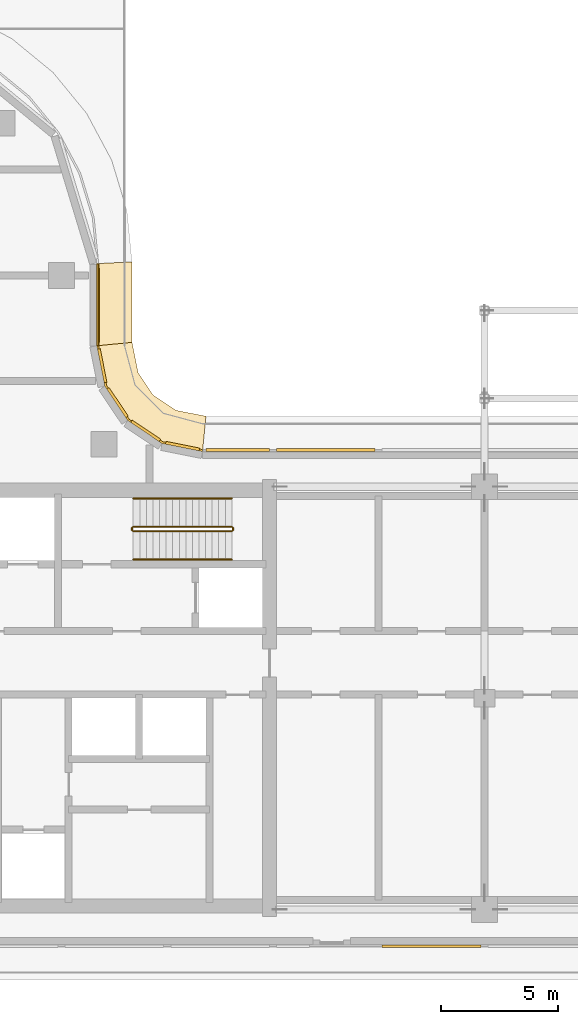
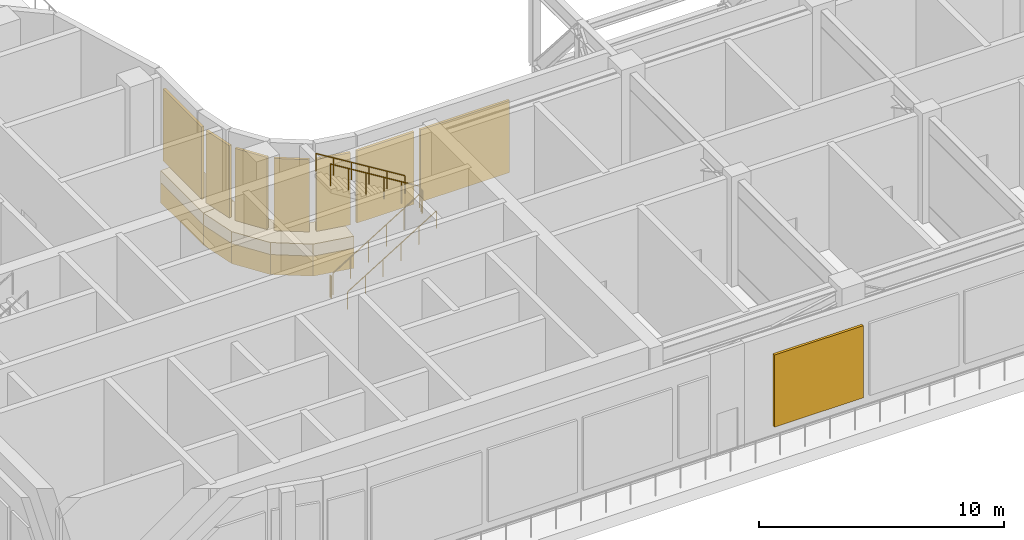
# One storey, part 14 of 18: 8 shading devices, 6 railings, 4 coverings.
"""IFC4 building model written with IfcOpenShell, lengths in metres."""

import ifcopenshell
import ifcopenshell.guid

model = None  # the IFC model being written
_history = None  # IfcOwnerHistory: only IFC2X3 demands one
_inside = {}  # id of a spatial element -> (the spatial element, [elements in it])
_under = {}  # id of a project, library or spatial element -> (it, [spatial elements below it])
_declared = {}  # id of a project -> (the project, [libraries it declares])
_typed = {}  # id of a type object -> (the type object, [elements of that type])
_made_of = {}  # id of a material, layer set ... -> (it, [elements and type objects made of it])


def new_model(schema):
    """Start an empty IFC model of exactly this schema.

    Asked for "IFC4X3", IfcOpenShell would pick the latest addendum, in which some entities
    have other attributes; the version numbers below select the first issue.
    IFC2X3 requires an IfcOwnerHistory on every rooted entity: one is made here for all.
    """
    global model, _history
    if schema == "IFC4X3":
        model = ifcopenshell.file(schema_version=(4, 3, 0, 0))
    else:
        model = ifcopenshell.file(schema=schema)
    _inside.clear()
    _under.clear()
    _declared.clear()
    _typed.clear()
    _made_of.clear()
    _history = None
    if model.schema == "IFC2X3":
        org = make("IfcOrganization", Name="unknown")
        user = make(
            "IfcPersonAndOrganization",
            ThePerson=make("IfcPerson", FamilyName="unknown"),
            TheOrganization=org,
        )
        app = make(
            "IfcApplication",
            ApplicationDeveloper=org,
            Version="unknown",
            ApplicationFullName="unknown",
            ApplicationIdentifier="unknown",
        )
        _history = make(
            "IfcOwnerHistory",
            OwningUser=user,
            OwningApplication=app,
            ChangeAction="ADDED",
            CreationDate=0,
        )
    return model


def make(cls, **values):
    """One entity of the class cls with the attributes given. An attribute that is None is left unset."""
    return model.create_entity(
        cls, **{name: value for name, value in values.items() if value is not None}
    )


def rooted(cls, **values):
    """An entity with a GlobalId (a new one), such as an element, a storey or a relation."""
    return make(cls, GlobalId=ifcopenshell.guid.new(), OwnerHistory=_history, **values)


def si_unit(unit_type, name, prefix=None):
    """IfcSIUnit, for example si_unit("LENGTHUNIT", "METRE", prefix="MILLI")."""
    return make("IfcSIUnit", UnitType=unit_type, Prefix=prefix, Name=name)


def assignment(units):
    """IfcUnitAssignment: the units of a project."""
    return None if units is None else make("IfcUnitAssignment", Units=units)


def point(xyz):
    """IfcCartesianPoint."""
    return None if xyz is None else make("IfcCartesianPoint", Coordinates=xyz)


def direction(xyz):
    """IfcDirection."""
    return None if xyz is None else make("IfcDirection", DirectionRatios=xyz)


def frame(location, z_axis=None, x_axis=None):
    """IfcAxis2Placement3D, a coordinate frame: its origin and axes. An axis left out is left unset."""
    return make(
        "IfcAxis2Placement3D",
        Location=point(location),
        Axis=direction(z_axis),
        RefDirection=direction(x_axis),
    )


def frame_2d(location, x_axis=None):
    """IfcAxis2Placement2D, a coordinate frame in the plane: its origin and x axis."""
    return make(
        "IfcAxis2Placement2D", Location=point(location), RefDirection=direction(x_axis)
    )


def origin():
    """The frame at (0, 0, 0) with its axes left unset."""
    return frame((0.0, 0.0, 0.0))


def origin_2d():
    """The frame at (0, 0) in the plane with its x axis left unset."""
    return frame_2d((0.0, 0.0))


def place(relative_to, where):
    """IfcLocalPlacement: puts the frame where relative to a parent placement (None: the world)."""
    return make(
        "IfcLocalPlacement", PlacementRelTo=relative_to, RelativePlacement=where
    )


def context(
    kind, dimensions, precision=None, world=None, true_north=None, identifier=None
):
    """IfcGeometricRepresentationContext, for example the 3D "Model" context."""
    return make(
        "IfcGeometricRepresentationContext",
        ContextIdentifier=identifier,
        ContextType=kind,
        CoordinateSpaceDimension=dimensions,
        Precision=precision,
        WorldCoordinateSystem=world,
        TrueNorth=true_north,
    )


def subcontext(parent, identifier, kind, view, scale=None):
    """IfcGeometricRepresentationSubContext, for example "Body" below "Model"."""
    return make(
        "IfcGeometricRepresentationSubContext",
        ContextIdentifier=identifier,
        ContextType=kind,
        ParentContext=parent,
        TargetScale=scale,
        TargetView=view,
    )


def project(units=None, contexts=None):
    """IfcProject with its units and contexts."""
    return rooted(
        "IfcProject",
        Name="project",
        RepresentationContexts=contexts,
        UnitsInContext=assignment(units),
    )


def spatial(cls, under=None, at=None, **own):
    """A site, building, storey or space (cls), placed at a placement, below another one or the project."""
    s = rooted(cls, ObjectPlacement=at, **own)
    if under is not None:
        _under.setdefault(under.id(), (under, []))[1].append(s)
    return s


def polyline(points):
    """IfcPolyline through the points."""
    return make("IfcPolyline", Points=[point(p) for p in points])


def profile(cls, at=None, kind="AREA", **sizes):
    """A parametric profile (cls). Its sizes go by their IFC names, for example OverallWidth=200.0."""
    return make(cls, ProfileType=kind, Position=at, **sizes)


def rectangle(**sizes):
    """IfcRectangleProfileDef."""
    return profile("IfcRectangleProfileDef", **sizes)


def circle(**sizes):
    """IfcCircleProfileDef."""
    return profile("IfcCircleProfileDef", **sizes)


def outline(outer, holes=None, kind="AREA"):
    """IfcArbitraryClosedProfileDef: a profile drawn as a closed curve; with holes, ...WithVoids."""
    if holes is None:
        return make("IfcArbitraryClosedProfileDef", ProfileType=kind, OuterCurve=outer)
    return make(
        "IfcArbitraryProfileDefWithVoids",
        ProfileType=kind,
        OuterCurve=outer,
        InnerCurves=holes,
    )


def extrude(swept, where, along, depth):
    """IfcExtrudedAreaSolid: the profile swept, set in the frame where, extruded along a direction by depth."""
    return make(
        "IfcExtrudedAreaSolid",
        SweptArea=swept,
        Position=where,
        ExtrudedDirection=direction(along),
        Depth=depth,
    )


def shape(context_of_items, identifier, shape_type, items):
    """IfcShapeRepresentation: the items that make up one representation, for example the "Body"."""
    return make(
        "IfcShapeRepresentation",
        ContextOfItems=context_of_items,
        RepresentationIdentifier=identifier,
        RepresentationType=shape_type,
        Items=items,
    )


def material(Name=None, Category=None):
    """IfcMaterial."""
    return make("IfcMaterial", Name=Name, Category=Category)


def layer(
    of_material, thickness, ventilated=None, Name=None, Category=None, Priority=None
):
    """IfcMaterialLayer: one layer of a wall or slab, of a material (None: an air gap)."""
    return make(
        "IfcMaterialLayer",
        Material=of_material,
        LayerThickness=thickness,
        IsVentilated=ventilated,
        Name=Name,
        Category=Category,
        Priority=Priority,
    )


def layer_set(layers, Name=None):
    """IfcMaterialLayerSet."""
    return make("IfcMaterialLayerSet", MaterialLayers=layers, LayerSetName=Name)


def made_of(thing, what):
    """Note that an element or type object is made of a material, layer set ...; save() writes the relation."""
    if what is not None:
        _made_of.setdefault(what.id(), (what, []))[1].append(thing)
    return thing


def type_object(cls, material=None, **own):
    """A type object (cls), such as IfcWallType, which elements share."""
    return made_of(rooted(cls, **own), material)


def element(
    cls,
    number,
    at=None,
    inside=None,
    cuts=None,
    type_object=None,
    material=None,
    context=None,
    identifier="Body",
    shape_type=None,
    held_by="IfcProductDefinitionShape",
    body=None,
    shapes=None,
    **own,
):
    """One element of the class cls, such as IfcWall. Its Tag is "e" and its number.

    at: its placement. inside: the storey or other place that contains it. cuts: it is an
    opening in that element (IfcRelVoidsElement). A single representation is given by context,
    identifier, shape_type and body (its items); several are given by shapes. held_by: the class
    of the entity that holds the representations. save() writes the other relations.
    """
    e = rooted(cls, Tag="e%d" % number, ObjectPlacement=at, **own)
    if body is not None:
        shapes = [shape(context, identifier, shape_type, body)]
    if shapes is not None:
        e.Representation = make(held_by, Representations=shapes)
    if inside is not None:
        _inside.setdefault(inside.id(), (inside, []))[1].append(e)
    if cuts is not None:
        rooted(
            "IfcRelVoidsElement", RelatingBuildingElement=cuts, RelatedOpeningElement=e
        )
    if type_object is not None:
        _typed.setdefault(type_object.id(), (type_object, []))[1].append(e)
    return made_of(e, material)


def aggregate(whole, parts):
    """IfcRelAggregates: a whole, such as a stair, and the parts it consists of."""
    return rooted("IfcRelAggregates", RelatingObject=whole, RelatedObjects=parts)


def save(model, path):
    """Write the relations noted so far, then the file.

    IfcRelAggregates (storeys below a building ...), IfcRelContainedInSpatialStructure (elements
    in a storey), IfcRelDefinesByType, IfcRelAssociatesMaterial and IfcRelDeclares: one each for
    every whole, place, type object, material and project.
    """
    for whole, parts in _under.values():
        aggregate(whole, parts)
    for where, things in _inside.values():
        rooted(
            "IfcRelContainedInSpatialStructure",
            RelatedElements=things,
            RelatingStructure=where,
        )
    for kind, things in _typed.values():
        rooted("IfcRelDefinesByType", RelatedObjects=things, RelatingType=kind)
    for what, things in _made_of.values():
        rooted("IfcRelAssociatesMaterial", RelatedObjects=things, RelatingMaterial=what)
    for by, libraries in _declared.values():
        rooted("IfcRelDeclares", RelatingContext=by, RelatedDefinitions=libraries)
    model.write(path)


model = new_model("IFC4")

# Units and contexts
model_context = context("Model", 3, precision=1e-05, world=origin(), true_north=direction((0.0, 1.0)))
body_context = subcontext(model_context, "Body", "Model", "MODEL_VIEW")
ifc_project = project(units=[si_unit("LENGTHUNIT", "METRE"), si_unit("AREAUNIT", "SQUARE_METRE"), si_unit("VOLUMEUNIT", "CUBIC_METRE"), si_unit("PLANEANGLEUNIT", "RADIAN"), si_unit("MASSUNIT", "GRAM", prefix="KILO")], contexts=[model_context])

# Site, building, storey
site_placement = place(None, origin())
site = spatial("IfcSite", under=ifc_project, at=site_placement, CompositionType="ELEMENT")
building_placement = place(site_placement, origin())
building = spatial("IfcBuilding", under=site, at=building_placement, Name="Ogive Portal Towers", CompositionType="ELEMENT")
storey_placement = place(building_placement, frame((0.0, 0.0, 190.300048828125)))
storey = spatial("IfcBuildingStorey", under=building, at=storey_placement, Name="L47", CompositionType="ELEMENT", Elevation=190.300048828125)

# Railings
ifc_material_1 = material(Name="Stainless steel balustrade", Category="steel")
railing_type_1 = type_object("IfcRailingType", Name="INT-GUARD", PredefinedType="GUARDRAIL", material=ifc_material_1)
railing_1_placement = place(storey_placement, frame((52.550048828125, 37.60009765625, 0.171875)))
element("IfcRailing", 1, at=railing_1_placement, inside=storey, type_object=railing_type_1, Name="L47 ST-A2 stair guard 1", PredefinedType="GUARDRAIL", context=body_context, shape_type="SweptSolid", body=[
    extrude(circle(Radius=0.02392578125, at=origin_2d()), frame((0.0, 0.0, 1.076171875), z_axis=(0.852242915053, 0.0, 0.523146264196), x_axis=(0.0, 1.0, 0.0)), (0.0, 0.0, 1.0), 4.92822265625),
    extrude(circle(Radius=0.02099609375, at=origin_2d()), origin(), (0.0, 0.0, 1.0), 1.052001953125),
    extrude(circle(Radius=0.02099609375, at=origin_2d()), frame((0.840087890625, 0.0, 0.515625)), (0.0, 0.0, 1.0), 1.052001953125),
    extrude(circle(Radius=0.02099609375, at=origin_2d()), frame((1.679931640625, 0.0, 1.03125)), (0.0, 0.0, 1.0), 1.052001953125),
    extrude(circle(Radius=0.02099609375, at=origin_2d()), frame((2.52001953125, 0.0, 1.546875)), (0.0, 0.0, 1.0), 1.052001953125),
    extrude(circle(Radius=0.02099609375, at=origin_2d()), frame((3.35986328125, 0.0, 2.0625)), (0.0, 0.0, 1.0), 1.052001953125),
    extrude(circle(Radius=0.02099609375, at=origin_2d()), frame((4.199951171875, 0.0, 2.578125)), (0.0, 0.0, 1.0), 1.052001953125),
])
railing_2_placement = place(storey_placement, frame((56.800048828125, 37.64990234375, 2.75)))
element("IfcRailing", 2, at=railing_2_placement, inside=storey, type_object=railing_type_1, Name="L47 ST-A2 stair guard 2", PredefinedType="GUARDRAIL", context=body_context, shape_type="SweptSolid", body=[
    extrude(circle(Radius=0.02392578125, at=origin_2d()), frame((0.0, 0.0, 1.076171875), z_axis=(0.0, 1.0, 0.0), x_axis=(-1.0, 0.0, 0.0)), (0.0, 0.0, 1.0), 0.10009765625),
    extrude(circle(Radius=0.02099609375, at=origin_2d()), origin(), (0.0, 0.0, 1.0), 1.052001953125),
    extrude(circle(Radius=0.02099609375, at=origin_2d()), frame((0.0, 0.10009765625, 0.0)), (0.0, 0.0, 1.0), 1.052001953125),
])
railing_3_placement = place(storey_placement, frame((56.75, 37.800048828125, 2.921875)))
element("IfcRailing", 3, at=railing_3_placement, inside=storey, type_object=railing_type_1, Name="L47 ST-A2 stair guard 3", PredefinedType="GUARDRAIL", context=body_context, shape_type="SweptSolid", body=[
    extrude(circle(Radius=0.02392578125, at=origin_2d()), frame((0.0, 0.0, 1.076171875), z_axis=(-0.852242915053, 0.0, 0.523146264196), x_axis=(0.0, -1.0, 0.0)), (0.0, 0.0, 1.0), 4.92822265625),
    extrude(circle(Radius=0.02099609375, at=origin_2d()), origin(), (0.0, 0.0, 1.0), 1.052001953125),
    extrude(circle(Radius=0.02099609375, at=origin_2d()), frame((-0.840087890625, 0.0, 0.515625)), (0.0, 0.0, 1.0), 1.052001953125),
    extrude(circle(Radius=0.02099609375, at=origin_2d()), frame((-1.679931640625, 0.0, 1.03125)), (0.0, 0.0, 1.0), 1.052001953125),
    extrude(circle(Radius=0.02099609375, at=origin_2d()), frame((-2.52001953125, 0.0, 1.546875)), (0.0, 0.0, 1.0), 1.052001953125),
    extrude(circle(Radius=0.02099609375, at=origin_2d()), frame((-3.35986328125, 0.0, 2.0625)), (0.0, 0.0, 1.0), 1.052001953125),
    extrude(circle(Radius=0.02099609375, at=origin_2d()), frame((-4.199951171875, 0.0, 2.578125)), (0.0, 0.0, 1.0), 1.052001953125),
])
railing_4_placement = place(storey_placement, frame((52.5, 37.64990234375, 0.0)))
element("IfcRailing", 4, at=railing_4_placement, inside=storey, type_object=railing_type_1, Name="L47 ST-A2 stair guard 4", PredefinedType="GUARDRAIL", context=body_context, shape_type="SweptSolid", body=[
    extrude(circle(Radius=0.02392578125, at=origin_2d()), frame((0.0, 0.0, 1.076171875), z_axis=(0.0, 1.0, 0.0), x_axis=(-1.0, 0.0, 0.0)), (0.0, 0.0, 1.0), 0.10009765625),
    extrude(circle(Radius=0.02099609375, at=origin_2d()), origin(), (0.0, 0.0, 1.0), 1.052001953125),
    extrude(circle(Radius=0.02099609375, at=origin_2d()), frame((0.0, 0.10009765625, 0.0)), (0.0, 0.0, 1.0), 1.052001953125),
])
ifc_material_2 = material(Name="Stainless steel handrail", Category="steel")
railing_type_2 = type_object("IfcRailingType", Name="INT-HANDRAIL", PredefinedType="HANDRAIL", material=ifc_material_2)
railing_5_placement = place(storey_placement, frame((52.550048828125, 36.39990234375, 0.171875)))
element("IfcRailing", 5, at=railing_5_placement, inside=storey, type_object=railing_type_2, Name="L47 ST-A2 stair handrail 1", PredefinedType="HANDRAIL", context=body_context, shape_type="SweptSolid", body=[
    extrude(circle(Radius=0.02392578125, at=origin_2d()), frame((0.0, 0.0, 0.8759765625), z_axis=(0.852242915053, 0.0, 0.523146264196), x_axis=(0.0, 1.0, 0.0)), (0.0, 0.0, 1.0), 4.92822265625),
    extrude(circle(Radius=0.02099609375, at=origin_2d()), origin(), (0.0, 0.0, 1.0), 0.851806640625),
    extrude(circle(Radius=0.02099609375, at=origin_2d()), frame((0.840087890625, 0.0, 0.515625)), (0.0, 0.0, 1.0), 0.851806640625),
    extrude(circle(Radius=0.02099609375, at=origin_2d()), frame((1.679931640625, 0.0, 1.03125)), (0.0, 0.0, 1.0), 0.851806640625),
    extrude(circle(Radius=0.02099609375, at=origin_2d()), frame((2.52001953125, 0.0, 1.546875)), (0.0, 0.0, 1.0), 0.851806640625),
    extrude(circle(Radius=0.02099609375, at=origin_2d()), frame((3.35986328125, 0.0, 2.0625)), (0.0, 0.0, 1.0), 0.851806640625),
    extrude(circle(Radius=0.02099609375, at=origin_2d()), frame((4.199951171875, 0.0, 2.578125)), (0.0, 0.0, 1.0), 0.851806640625),
])
railing_6_placement = place(storey_placement, frame((56.75, 39.0, 2.921875)))
element("IfcRailing", 6, at=railing_6_placement, inside=storey, type_object=railing_type_2, Name="L47 ST-A2 stair handrail 2", PredefinedType="HANDRAIL", context=body_context, shape_type="SweptSolid", body=[
    extrude(circle(Radius=0.02392578125, at=origin_2d()), frame((0.0, 0.0, 0.8759765625), z_axis=(-0.852242915053, 0.0, 0.523146264196), x_axis=(0.0, -1.0, 0.0)), (0.0, 0.0, 1.0), 4.92822265625),
    extrude(circle(Radius=0.02099609375, at=origin_2d()), origin(), (0.0, 0.0, 1.0), 0.851806640625),
    extrude(circle(Radius=0.02099609375, at=origin_2d()), frame((-0.840087890625, 0.0, 0.515625)), (0.0, 0.0, 1.0), 0.851806640625),
    extrude(circle(Radius=0.02099609375, at=origin_2d()), frame((-1.679931640625, 0.0, 1.03125)), (0.0, 0.0, 1.0), 0.851806640625),
    extrude(circle(Radius=0.02099609375, at=origin_2d()), frame((-2.52001953125, 0.0, 1.546875)), (0.0, 0.0, 1.0), 0.851806640625),
    extrude(circle(Radius=0.02099609375, at=origin_2d()), frame((-3.35986328125, 0.0, 2.0625)), (0.0, 0.0, 1.0), 0.851806640625),
    extrude(circle(Radius=0.02099609375, at=origin_2d()), frame((-4.199951171875, 0.0, 2.578125)), (0.0, 0.0, 1.0), 0.851806640625),
])

# Shading devices
ifc_material_3 = material(Name="Aluminium 6063 anodised", Category="aluminium")
ifc_layer_1 = layer(ifc_material_3, 0.1201171875)
ifc_layer_set_1 = layer_set([ifc_layer_1], Name="LOUVRE BANK ALUMINIUM")
shading_device_type = type_object("IfcShadingDeviceType", Name="LOUVRE BANK ALUMINIUM", PredefinedType="USERDEFINED", material=ifc_layer_set_1)
for number, where, z_axis, x_axis, name in (
    (7, (65.25, 19.93994140625, 0.599853515625), (0.0, 0.0, 1.0), (1.0, 0.0, 0.0), "Louvre bank 2"),
    (8, (60.75, 41.06005859375, 0.599853515625), (0.0, 0.0, 1.0), (-1.0, 0.0, 0.0), "Louvre bank 7"),
):
    element("IfcShadingDevice", number, at=place(storey_placement, frame(where, z_axis=z_axis, x_axis=x_axis)), inside=storey, type_object=shading_device_type, Name=name, ObjectType="LOUVRE", PredefinedType="USERDEFINED", context=body_context, shape_type="SweptSolid", body=[
        extrude(rectangle(XDim=4.199951171875, YDim=0.1201171875, at=origin_2d()), origin(), (0.0, 0.0, 1.0), 3.60009765625),
    ])
shading_device_1_placement = place(storey_placement, frame((57.0, 41.06005859375, 0.599853515625), z_axis=(0.0, 0.0, 1.0), x_axis=(-1.0, 0.0, 0.0)))
element("IfcShadingDevice", 9, at=shading_device_1_placement, inside=storey, type_object=shading_device_type, Name="Louvre bank 8", ObjectType="LOUVRE", PredefinedType="USERDEFINED", context=body_context, shape_type="SweptSolid", body=[
    extrude(rectangle(XDim=2.699951171875, YDim=0.1201171875, at=origin_2d()), origin(), (0.0, 0.0, 1.0), 3.60009765625),
])
for number, where, z_axis, x_axis, name in (
    (10, (54.650634765625, 41.230224609375, 0.599853515625), (0.0, 0.0, 1.0), (-0.980785280403, 0.195090322016, 0.0), "Louvre bank 1"),
    (11, (53.081298828125, 41.880126953125, 0.599853515625), (0.0, 0.0, 1.0), (-0.831469612303, 0.55557023302, 0.0), "Louvre bank 1"),
    (12, (51.880126953125, 43.081298828125, 0.599853515625), (0.0, 0.0, 1.0), (-0.55557023302, 0.831469612303, 0.0), "Louvre bank 1"),
    (13, (51.230224609375, 44.650634765625, 0.599853515625), (0.0, 0.0, 1.0), (-0.195090322016, 0.980785280403, 0.0), "Louvre bank 1"),
):
    element("IfcShadingDevice", number, at=place(storey_placement, frame(where, z_axis=z_axis, x_axis=x_axis)), inside=storey, type_object=shading_device_type, Name=name, ObjectType="LOUVRE", PredefinedType="USERDEFINED", context=body_context, shape_type="SweptSolid", body=[
        extrude(rectangle(XDim=1.455810546875, YDim=0.1201171875, at=origin_2d()), origin(), (0.0, 0.0, 1.0), 3.60009765625),
    ])
shading_device_2_placement = place(storey_placement, frame((51.06005859375, 47.227783203125, 0.599853515625), z_axis=(0.0, 0.0, 1.0), x_axis=(0.0, 1.0, 0.0)))
element("IfcShadingDevice", 14, at=shading_device_2_placement, inside=storey, type_object=shading_device_type, Name="Louvre bank 1", ObjectType="LOUVRE", PredefinedType="USERDEFINED", context=body_context, shape_type="SweptSolid", body=[
    extrude(rectangle(XDim=3.155517578125, YDim=0.1201171875, at=origin_2d()), origin(), (0.0, 0.0, 1.0), 3.60009765625),
])

# Coverings
ifc_material_4 = material(Name="Limestone cladding on lightweight block wall", Category="masonry")
ifc_layer_2 = layer(ifc_material_4, 0.080078125)
ifc_layer_set_2 = layer_set([ifc_layer_2], Name="STONE SPANDREL 80")
covering_type_1 = type_object("IfcCoveringType", Name="STONE SPANDREL 80", PredefinedType="CLADDING", material=ifc_layer_set_2)
covering_1_placement = place(storey_placement, frame((0.0, 0.0, -1.60009765625)))
element("IfcCovering", 15, at=covering_1_placement, inside=storey, type_object=covering_type_1, Name="Stone spandrel A1-F10", PredefinedType="CLADDING", context=body_context, shape_type="SweptSolid", body=[
    extrude(outline(polyline([(55.5, 41.0), (53.77783203125, 41.342529296875), (52.318115234375, 42.318115234375), (51.342529296875, 43.77783203125), (51.0, 45.5), (51.080078125, 45.5078125), (51.41796875, 43.80908203125), (52.375732421875, 42.375732421875), (53.80908203125, 41.41796875), (55.5078125, 41.080078125), (55.5, 41.0)])), origin(), (0.0, 0.0, 1.0), 1.0),
])
covering_2_placement = place(storey_placement, frame((0.0, 0.0, -1.60009765625)))
element("IfcCovering", 16, at=covering_2_placement, inside=storey, type_object=covering_type_1, Name="Stone spandrel A1-F11", PredefinedType="CLADDING", context=body_context, shape_type="SweptSolid", body=[
    extrude(outline(polyline([(51.0, 45.5), (51.0, 49.0), (51.080078125, 49.00390625), (51.080078125, 45.5078125), (51.0, 45.5)])), origin(), (0.0, 0.0, 1.0), 1.0),
])
ifc_layer_3 = layer(ifc_material_4, 0.60009765625)
ifc_layer_set_3 = layer_set([ifc_layer_3], Name="SUNSHADE LIP 600")
covering_type_2 = type_object("IfcCoveringType", Name="SUNSHADE LIP 600", PredefinedType="CLADDING", material=ifc_layer_set_3)
covering_3_placement = place(storey_placement, frame((0.0, 0.0, -0.60009765625)))
element("IfcCovering", 17, at=covering_3_placement, inside=storey, type_object=covering_type_2, Name="Sunshade lip A1-F10", PredefinedType="CLADDING", context=body_context, shape_type="SweptSolid", body=[
    extrude(outline(polyline([(55.5, 41.0), (53.77783203125, 41.342529296875), (52.318115234375, 42.318115234375), (51.342529296875, 43.77783203125), (51.0, 45.5), (52.5, 45.647705078125), (52.755615234375, 44.36328125), (53.3994140625, 43.3994140625), (54.36328125, 42.755615234375), (55.647705078125, 42.5), (55.5, 41.0)])), origin(), (0.0, 0.0, 1.0), 0.60009765625),
])
covering_4_placement = place(storey_placement, frame((0.0, 0.0, -0.60009765625)))
element("IfcCovering", 18, at=covering_4_placement, inside=storey, type_object=covering_type_2, Name="Sunshade lip A1-F11", PredefinedType="CLADDING", context=body_context, shape_type="SweptSolid", body=[
    extrude(outline(polyline([(51.0, 45.5), (51.0, 49.0), (52.5, 49.07373046875), (52.5, 45.647705078125), (51.0, 45.5)])), origin(), (0.0, 0.0, 1.0), 0.60009765625),
])

save(model, "model.ifc")
